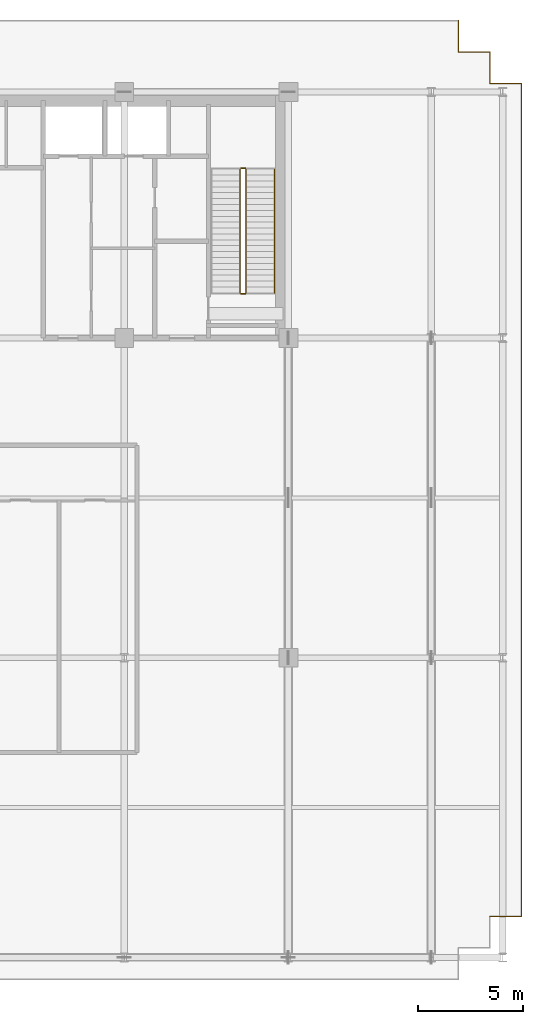
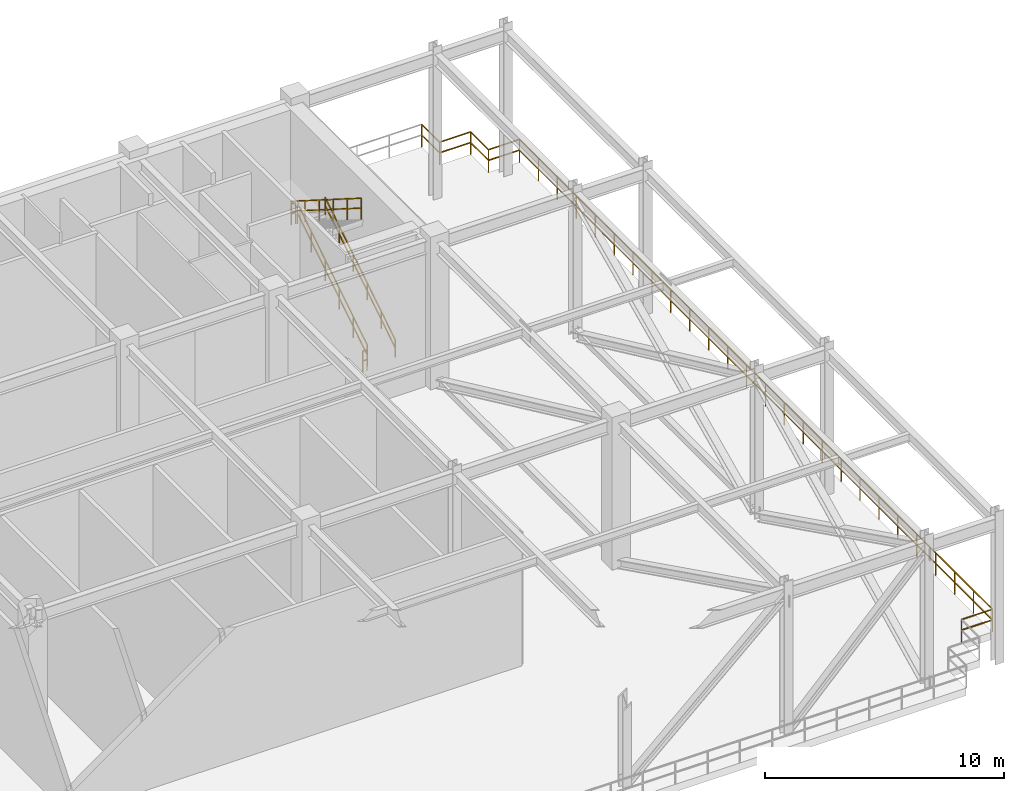
# One storey, part 16 of 16: 11 railings.
"""IFC4 building model written with IfcOpenShell, lengths in metres."""

from ifc_helpers import new_model, si_unit, direction, frame, origin, origin_2d, place, context, subcontext, project, spatial, rectangle, extrude, material, type_object, element, save


model = new_model("IFC4")

# Units and contexts
model_context = context("Model", 3, precision=1e-05, world=origin(), true_north=direction((0.0, 1.0)))
body_context = subcontext(model_context, "Body", "Model", "MODEL_VIEW")
ifc_project = project(units=[si_unit("LENGTHUNIT", "METRE"), si_unit("AREAUNIT", "SQUARE_METRE"), si_unit("VOLUMEUNIT", "CUBIC_METRE"), si_unit("PLANEANGLEUNIT", "RADIAN"), si_unit("MASSUNIT", "GRAM", prefix="KILO")], contexts=[model_context])

# Site, building, storey
site_placement = place(None, origin())
site = spatial("IfcSite", under=ifc_project, at=site_placement, CompositionType="ELEMENT")
building_placement = place(site_placement, origin())
building = spatial("IfcBuilding", under=site, at=building_placement, Name="Trelvane Seafront Commons", CompositionType="ELEMENT")
storey_placement = place(building_placement, frame((0.0, 0.0, 73.89990234375)))
storey = spatial("IfcBuildingStorey", under=building, at=storey_placement, Name="L19", CompositionType="ELEMENT", Elevation=73.89990234375)

# Railings
ifc_material = material(Name="Stainless steel balustrade", Category="steel")
railing_type_1 = type_object("IfcRailingType", Name="ARCH-RAIL-BAL1150", PredefinedType="BALUSTRADE", material=ifc_material)
railing_1_placement = place(storey_placement, frame((68.39990234375, 5.89990234375, 0.0)))
element("IfcRailing", 1, at=railing_1_placement, inside=storey, type_object=railing_type_1, Name="RL-L19-PERIM-05", PredefinedType="BALUSTRADE", context=body_context, shape_type="SweptSolid", body=[
    extrude(rectangle(XDim=0.048095703125, YDim=0.048095703125, at=origin_2d()), frame((0.0, 0.0, 1.15576171875), z_axis=(1.0, 0.0, 0.0), x_axis=(0.0, 1.0, 0.0)), (0.0, 0.0, 1.0), 1.5),
    extrude(rectangle(XDim=0.048095703125, YDim=0.048095703125, at=origin_2d()), frame((0.0, 0.0, 0.613525390625), z_axis=(1.0, 0.0, 0.0), x_axis=(0.0, 1.0, 0.0)), (0.0, 0.0, 1.0), 1.5),
    extrude(rectangle(XDim=0.0419921875, YDim=0.0419921875, at=origin_2d()), origin(), (0.0, 0.0, 1.0), 1.15576171875),
    extrude(rectangle(XDim=0.0419921875, YDim=0.0419921875, at=origin_2d()), frame((1.5, 0.0, 0.0)), (0.0, 0.0, 1.0), 1.15576171875),
])
railing_2_placement = place(storey_placement, frame((69.89990234375, 5.89990234375, 0.0)))
element("IfcRailing", 2, at=railing_2_placement, inside=storey, type_object=railing_type_1, Name="RL-L19-PERIM-06", PredefinedType="BALUSTRADE", context=body_context, shape_type="SweptSolid", body=[
    extrude(rectangle(XDim=0.048095703125, YDim=0.048095703125, at=origin_2d()), frame((0.0, 0.0, 1.15576171875), z_axis=(0.0, 1.0, 0.0), x_axis=(-1.0, 0.0, 0.0)), (0.0, 0.0, 1.0), 39.60009765625),
    extrude(rectangle(XDim=0.048095703125, YDim=0.048095703125, at=origin_2d()), frame((0.0, 0.0, 0.613525390625), z_axis=(0.0, 1.0, 0.0), x_axis=(-1.0, 0.0, 0.0)), (0.0, 0.0, 1.0), 39.60009765625),
    extrude(rectangle(XDim=0.0419921875, YDim=0.0419921875, at=origin_2d()), origin(), (0.0, 0.0, 1.0), 1.15576171875),
    extrude(rectangle(XDim=0.0419921875, YDim=0.0419921875, at=origin_2d()), frame((0.0, 1.583984375, 0.0)), (0.0, 0.0, 1.0), 1.15576171875),
    extrude(rectangle(XDim=0.0419921875, YDim=0.0419921875, at=origin_2d()), frame((0.0, 3.16796875, 0.0)), (0.0, 0.0, 1.0), 1.15576171875),
    extrude(rectangle(XDim=0.0419921875, YDim=0.0419921875, at=origin_2d()), frame((0.0, 4.751953125, 0.0)), (0.0, 0.0, 1.0), 1.15576171875),
    extrude(rectangle(XDim=0.0419921875, YDim=0.0419921875, at=origin_2d()), frame((0.0, 6.3359375, 0.0)), (0.0, 0.0, 1.0), 1.15576171875),
    extrude(rectangle(XDim=0.0419921875, YDim=0.0419921875, at=origin_2d()), frame((0.0, 7.919921875, 0.0)), (0.0, 0.0, 1.0), 1.15576171875),
    extrude(rectangle(XDim=0.0419921875, YDim=0.0419921875, at=origin_2d()), frame((0.0, 9.50390625, 0.0)), (0.0, 0.0, 1.0), 1.15576171875),
    extrude(rectangle(XDim=0.0419921875, YDim=0.0419921875, at=origin_2d()), frame((0.0, 11.088134765625, 0.0)), (0.0, 0.0, 1.0), 1.15576171875),
    extrude(rectangle(XDim=0.0419921875, YDim=0.0419921875, at=origin_2d()), frame((0.0, 12.672119140625, 0.0)), (0.0, 0.0, 1.0), 1.15576171875),
    extrude(rectangle(XDim=0.0419921875, YDim=0.0419921875, at=origin_2d()), frame((0.0, 14.256103515625, 0.0)), (0.0, 0.0, 1.0), 1.15576171875),
    extrude(rectangle(XDim=0.0419921875, YDim=0.0419921875, at=origin_2d()), frame((0.0, 15.840087890625, 0.0)), (0.0, 0.0, 1.0), 1.15576171875),
    extrude(rectangle(XDim=0.0419921875, YDim=0.0419921875, at=origin_2d()), frame((0.0, 17.424072265625, 0.0)), (0.0, 0.0, 1.0), 1.15576171875),
    extrude(rectangle(XDim=0.0419921875, YDim=0.0419921875, at=origin_2d()), frame((0.0, 19.008056640625, 0.0)), (0.0, 0.0, 1.0), 1.15576171875),
    extrude(rectangle(XDim=0.0419921875, YDim=0.0419921875, at=origin_2d()), frame((0.0, 20.592041015625, 0.0)), (0.0, 0.0, 1.0), 1.15576171875),
    extrude(rectangle(XDim=0.0419921875, YDim=0.0419921875, at=origin_2d()), frame((0.0, 22.176025390625, 0.0)), (0.0, 0.0, 1.0), 1.15576171875),
    extrude(rectangle(XDim=0.0419921875, YDim=0.0419921875, at=origin_2d()), frame((0.0, 23.760009765625, 0.0)), (0.0, 0.0, 1.0), 1.15576171875),
    extrude(rectangle(XDim=0.0419921875, YDim=0.0419921875, at=origin_2d()), frame((0.0, 25.343994140625, 0.0)), (0.0, 0.0, 1.0), 1.15576171875),
    extrude(rectangle(XDim=0.0419921875, YDim=0.0419921875, at=origin_2d()), frame((0.0, 26.927978515625, 0.0)), (0.0, 0.0, 1.0), 1.15576171875),
    extrude(rectangle(XDim=0.0419921875, YDim=0.0419921875, at=origin_2d()), frame((0.0, 28.511962890625, 0.0)), (0.0, 0.0, 1.0), 1.15576171875),
    extrude(rectangle(XDim=0.0419921875, YDim=0.0419921875, at=origin_2d()), frame((0.0, 30.09619140625, 0.0)), (0.0, 0.0, 1.0), 1.15576171875),
    extrude(rectangle(XDim=0.0419921875, YDim=0.0419921875, at=origin_2d()), frame((0.0, 31.68017578125, 0.0)), (0.0, 0.0, 1.0), 1.15576171875),
    extrude(rectangle(XDim=0.0419921875, YDim=0.0419921875, at=origin_2d()), frame((0.0, 33.26416015625, 0.0)), (0.0, 0.0, 1.0), 1.15576171875),
    extrude(rectangle(XDim=0.0419921875, YDim=0.0419921875, at=origin_2d()), frame((0.0, 34.84814453125, 0.0)), (0.0, 0.0, 1.0), 1.15576171875),
    extrude(rectangle(XDim=0.0419921875, YDim=0.0419921875, at=origin_2d()), frame((0.0, 36.43212890625, 0.0)), (0.0, 0.0, 1.0), 1.15576171875),
    extrude(rectangle(XDim=0.0419921875, YDim=0.0419921875, at=origin_2d()), frame((0.0, 38.01611328125, 0.0)), (0.0, 0.0, 1.0), 1.15576171875),
    extrude(rectangle(XDim=0.0419921875, YDim=0.0419921875, at=origin_2d()), frame((0.0, 39.60009765625, 0.0)), (0.0, 0.0, 1.0), 1.15576171875),
])
railing_3_placement = place(storey_placement, frame((69.89990234375, 45.5, 0.0)))
element("IfcRailing", 3, at=railing_3_placement, inside=storey, type_object=railing_type_1, Name="RL-L19-PERIM-07", PredefinedType="BALUSTRADE", context=body_context, shape_type="SweptSolid", body=[
    extrude(rectangle(XDim=0.048095703125, YDim=0.048095703125, at=origin_2d()), frame((0.0, 0.0, 1.15576171875), z_axis=(-1.0, 0.0, 0.0), x_axis=(0.0, -1.0, 0.0)), (0.0, 0.0, 1.0), 1.5),
    extrude(rectangle(XDim=0.048095703125, YDim=0.048095703125, at=origin_2d()), frame((0.0, 0.0, 0.613525390625), z_axis=(-1.0, 0.0, 0.0), x_axis=(0.0, -1.0, 0.0)), (0.0, 0.0, 1.0), 1.5),
    extrude(rectangle(XDim=0.0419921875, YDim=0.0419921875, at=origin_2d()), origin(), (0.0, 0.0, 1.0), 1.15576171875),
    extrude(rectangle(XDim=0.0419921875, YDim=0.0419921875, at=origin_2d()), frame((-1.5, 0.0, 0.0)), (0.0, 0.0, 1.0), 1.15576171875),
])
railing_4_placement = place(storey_placement, frame((68.39990234375, 45.5, 0.0)))
element("IfcRailing", 4, at=railing_4_placement, inside=storey, type_object=railing_type_1, Name="RL-L19-PERIM-08", PredefinedType="BALUSTRADE", context=body_context, shape_type="SweptSolid", body=[
    extrude(rectangle(XDim=0.048095703125, YDim=0.048095703125, at=origin_2d()), frame((0.0, 0.0, 1.15576171875), z_axis=(0.0, 1.0, 0.0), x_axis=(-1.0, 0.0, 0.0)), (0.0, 0.0, 1.0), 1.5),
    extrude(rectangle(XDim=0.048095703125, YDim=0.048095703125, at=origin_2d()), frame((0.0, 0.0, 0.613525390625), z_axis=(0.0, 1.0, 0.0), x_axis=(-1.0, 0.0, 0.0)), (0.0, 0.0, 1.0), 1.5),
    extrude(rectangle(XDim=0.0419921875, YDim=0.0419921875, at=origin_2d()), origin(), (0.0, 0.0, 1.0), 1.15576171875),
    extrude(rectangle(XDim=0.0419921875, YDim=0.0419921875, at=origin_2d()), frame((0.0, 1.5, 0.0)), (0.0, 0.0, 1.0), 1.15576171875),
])
railing_5_placement = place(storey_placement, frame((68.39990234375, 47.0, 0.0)))
element("IfcRailing", 5, at=railing_5_placement, inside=storey, type_object=railing_type_1, Name="RL-L19-PERIM-09", PredefinedType="BALUSTRADE", context=body_context, shape_type="SweptSolid", body=[
    extrude(rectangle(XDim=0.048095703125, YDim=0.048095703125, at=origin_2d()), frame((0.0, 0.0, 1.15576171875), z_axis=(-1.0, 0.0, 0.0), x_axis=(0.0, -1.0, 0.0)), (0.0, 0.0, 1.0), 1.5),
    extrude(rectangle(XDim=0.048095703125, YDim=0.048095703125, at=origin_2d()), frame((0.0, 0.0, 0.613525390625), z_axis=(-1.0, 0.0, 0.0), x_axis=(0.0, -1.0, 0.0)), (0.0, 0.0, 1.0), 1.5),
    extrude(rectangle(XDim=0.0419921875, YDim=0.0419921875, at=origin_2d()), origin(), (0.0, 0.0, 1.0), 1.15576171875),
    extrude(rectangle(XDim=0.0419921875, YDim=0.0419921875, at=origin_2d()), frame((-1.5, 0.0, 0.0)), (0.0, 0.0, 1.0), 1.15576171875),
])
railing_6_placement = place(storey_placement, frame((66.89990234375, 47.0, 0.0)))
element("IfcRailing", 6, at=railing_6_placement, inside=storey, type_object=railing_type_1, Name="RL-L19-PERIM-10", PredefinedType="BALUSTRADE", context=body_context, shape_type="SweptSolid", body=[
    extrude(rectangle(XDim=0.048095703125, YDim=0.048095703125, at=origin_2d()), frame((0.0, 0.0, 1.15576171875), z_axis=(0.0, 1.0, 0.0), x_axis=(-1.0, 0.0, 0.0)), (0.0, 0.0, 1.0), 1.5),
    extrude(rectangle(XDim=0.048095703125, YDim=0.048095703125, at=origin_2d()), frame((0.0, 0.0, 0.613525390625), z_axis=(0.0, 1.0, 0.0), x_axis=(-1.0, 0.0, 0.0)), (0.0, 0.0, 1.0), 1.5),
    extrude(rectangle(XDim=0.0419921875, YDim=0.0419921875, at=origin_2d()), origin(), (0.0, 0.0, 1.0), 1.15576171875),
    extrude(rectangle(XDim=0.0419921875, YDim=0.0419921875, at=origin_2d()), frame((0.0, 1.5, 0.0)), (0.0, 0.0, 1.0), 1.15576171875),
])
railing_type_2 = type_object("IfcRailingType", Name="ARCH-SRL-GUARD", PredefinedType="GUARDRAIL", material=ifc_material)
railing_7_placement = place(storey_placement, frame((56.800048828125, 35.550048828125, 0.177490234375)))
element("IfcRailing", 7, at=railing_7_placement, inside=storey, type_object=railing_type_2, Name="L19 ST-2 stair guard 1", PredefinedType="GUARDRAIL", context=body_context, shape_type="SweptSolid", body=[
    extrude(rectangle(XDim=0.048095703125, YDim=0.048095703125, at=origin_2d()), frame((0.0, 0.0, 1.076171875), z_axis=(0.0, 0.844901525001, 0.534921875652), x_axis=(-1.0, 0.0, 0.0)), (0.0, 0.0, 1.0), 6.959228515625),
    extrude(rectangle(XDim=0.048095703125, YDim=0.048095703125, at=origin_2d()), frame((0.0, 0.0, 0.572021484375), z_axis=(0.0, 0.844901525001, 0.534921875652), x_axis=(-1.0, 0.0, 0.0)), (0.0, 0.0, 1.0), 6.959228515625),
    extrude(rectangle(XDim=0.0419921875, YDim=0.0419921875, at=origin_2d()), origin(), (0.0, 0.0, 1.0), 1.076171875),
    extrude(rectangle(XDim=0.0419921875, YDim=0.0419921875, at=origin_2d()), frame((0.0, 1.176025390625, 0.74462890625)), (0.0, 0.0, 1.0), 1.076171875),
    extrude(rectangle(XDim=0.0419921875, YDim=0.0419921875, at=origin_2d()), frame((0.0, 2.35205078125, 1.489013671875)), (0.0, 0.0, 1.0), 1.076171875),
    extrude(rectangle(XDim=0.0419921875, YDim=0.0419921875, at=origin_2d()), frame((0.0, 3.52783203125, 2.233642578125)), (0.0, 0.0, 1.0), 1.076171875),
    extrude(rectangle(XDim=0.0419921875, YDim=0.0419921875, at=origin_2d()), frame((0.0, 4.703857421875, 2.97802734375)), (0.0, 0.0, 1.0), 1.076171875),
    extrude(rectangle(XDim=0.0419921875, YDim=0.0419921875, at=origin_2d()), frame((0.0, 5.8798828125, 3.72265625)), (0.0, 0.0, 1.0), 1.076171875),
])
railing_8_placement = place(storey_placement, frame((56.75, 41.47998046875, 3.900146484375)))
element("IfcRailing", 8, at=railing_8_placement, inside=storey, type_object=railing_type_2, Name="L19 ST-2 stair guard 2", PredefinedType="GUARDRAIL", context=body_context, shape_type="SweptSolid", body=[
    extrude(rectangle(XDim=0.048095703125, YDim=0.048095703125, at=origin_2d()), frame((0.0, 0.0, 1.076171875), z_axis=(-1.0, 0.0, 0.0), x_axis=(0.0, -1.0, 0.0)), (0.0, 0.0, 1.0), 0.199951171875),
    extrude(rectangle(XDim=0.048095703125, YDim=0.048095703125, at=origin_2d()), frame((0.0, 0.0, 0.572021484375), z_axis=(-1.0, 0.0, 0.0), x_axis=(0.0, -1.0, 0.0)), (0.0, 0.0, 1.0), 0.199951171875),
    extrude(rectangle(XDim=0.0419921875, YDim=0.0419921875, at=origin_2d()), origin(), (0.0, 0.0, 1.0), 1.076171875),
    extrude(rectangle(XDim=0.0419921875, YDim=0.0419921875, at=origin_2d()), frame((-0.199951171875, 0.0, 0.0)), (0.0, 0.0, 1.0), 1.076171875),
])
railing_9_placement = place(storey_placement, frame((56.5, 41.429931640625, 4.077392578125)))
element("IfcRailing", 9, at=railing_9_placement, inside=storey, type_object=railing_type_2, Name="L19 ST-2 stair guard 3", PredefinedType="GUARDRAIL", context=body_context, shape_type="SweptSolid", body=[
    extrude(rectangle(XDim=0.048095703125, YDim=0.048095703125, at=origin_2d()), frame((0.0, 0.0, 1.076171875), z_axis=(0.0, -0.844901525001, 0.534921875652), x_axis=(1.0, 0.0, 0.0)), (0.0, 0.0, 1.0), 6.959228515625),
    extrude(rectangle(XDim=0.048095703125, YDim=0.048095703125, at=origin_2d()), frame((0.0, 0.0, 0.572021484375), z_axis=(0.0, -0.844901525001, 0.534921875652), x_axis=(1.0, 0.0, 0.0)), (0.0, 0.0, 1.0), 6.959228515625),
    extrude(rectangle(XDim=0.0419921875, YDim=0.0419921875, at=origin_2d()), origin(), (0.0, 0.0, 1.0), 1.076171875),
    extrude(rectangle(XDim=0.0419921875, YDim=0.0419921875, at=origin_2d()), frame((0.0, -1.176025390625, 0.74462890625)), (0.0, 0.0, 1.0), 1.076171875),
    extrude(rectangle(XDim=0.0419921875, YDim=0.0419921875, at=origin_2d()), frame((0.0, -2.35205078125, 1.489013671875)), (0.0, 0.0, 1.0), 1.076171875),
    extrude(rectangle(XDim=0.0419921875, YDim=0.0419921875, at=origin_2d()), frame((0.0, -3.52783203125, 2.233642578125)), (0.0, 0.0, 1.0), 1.076171875),
    extrude(rectangle(XDim=0.0419921875, YDim=0.0419921875, at=origin_2d()), frame((0.0, -4.703857421875, 2.97802734375)), (0.0, 0.0, 1.0), 1.076171875),
    extrude(rectangle(XDim=0.0419921875, YDim=0.0419921875, at=origin_2d()), frame((0.0, -5.8798828125, 3.72265625)), (0.0, 0.0, 1.0), 1.076171875),
])
railing_10_placement = place(storey_placement, frame((56.75, 35.5, 0.0)))
element("IfcRailing", 10, at=railing_10_placement, inside=storey, type_object=railing_type_2, Name="L19 ST-2 stair guard 4", PredefinedType="GUARDRAIL", context=body_context, shape_type="SweptSolid", body=[
    extrude(rectangle(XDim=0.048095703125, YDim=0.048095703125, at=origin_2d()), frame((0.0, 0.0, 1.076171875), z_axis=(-1.0, 0.0, 0.0), x_axis=(0.0, -1.0, 0.0)), (0.0, 0.0, 1.0), 0.199951171875),
    extrude(rectangle(XDim=0.048095703125, YDim=0.048095703125, at=origin_2d()), frame((0.0, 0.0, 0.572021484375), z_axis=(-1.0, 0.0, 0.0), x_axis=(0.0, -1.0, 0.0)), (0.0, 0.0, 1.0), 0.199951171875),
    extrude(rectangle(XDim=0.0419921875, YDim=0.0419921875, at=origin_2d()), origin(), (0.0, 0.0, 1.0), 1.076171875),
    extrude(rectangle(XDim=0.0419921875, YDim=0.0419921875, at=origin_2d()), frame((-0.199951171875, 0.0, 0.0)), (0.0, 0.0, 1.0), 1.076171875),
])
railing_type_3 = type_object("IfcRailingType", Name="ARCH-SRL-HAND", PredefinedType="HANDRAIL", material=ifc_material)
railing_11_placement = place(storey_placement, frame((58.14990234375, 35.550048828125, 0.177490234375)))
element("IfcRailing", 11, at=railing_11_placement, inside=storey, type_object=railing_type_3, Name="L19 ST-2 stair handrail 1", PredefinedType="HANDRAIL", context=body_context, shape_type="SweptSolid", body=[
    extrude(rectangle(XDim=0.048095703125, YDim=0.048095703125, at=origin_2d()), frame((0.0, 0.0, 0.8759765625), z_axis=(0.0, 0.844901525001, 0.534921875652), x_axis=(-1.0, 0.0, 0.0)), (0.0, 0.0, 1.0), 6.959228515625),
    extrude(rectangle(XDim=0.048095703125, YDim=0.048095703125, at=origin_2d()), frame((0.0, 0.0, 0.468017578125), z_axis=(0.0, 0.844901525001, 0.534921875652), x_axis=(-1.0, 0.0, 0.0)), (0.0, 0.0, 1.0), 6.959228515625),
    extrude(rectangle(XDim=0.0419921875, YDim=0.0419921875, at=origin_2d()), origin(), (0.0, 0.0, 1.0), 0.8759765625),
    extrude(rectangle(XDim=0.0419921875, YDim=0.0419921875, at=origin_2d()), frame((0.0, 1.176025390625, 0.74462890625)), (0.0, 0.0, 1.0), 0.8759765625),
    extrude(rectangle(XDim=0.0419921875, YDim=0.0419921875, at=origin_2d()), frame((0.0, 2.35205078125, 1.489013671875)), (0.0, 0.0, 1.0), 0.8759765625),
    extrude(rectangle(XDim=0.0419921875, YDim=0.0419921875, at=origin_2d()), frame((0.0, 3.52783203125, 2.233642578125)), (0.0, 0.0, 1.0), 0.8759765625),
    extrude(rectangle(XDim=0.0419921875, YDim=0.0419921875, at=origin_2d()), frame((0.0, 4.703857421875, 2.97802734375)), (0.0, 0.0, 1.0), 0.8759765625),
    extrude(rectangle(XDim=0.0419921875, YDim=0.0419921875, at=origin_2d()), frame((0.0, 5.8798828125, 3.72265625)), (0.0, 0.0, 1.0), 0.8759765625),
])

save(model, "model.ifc")
